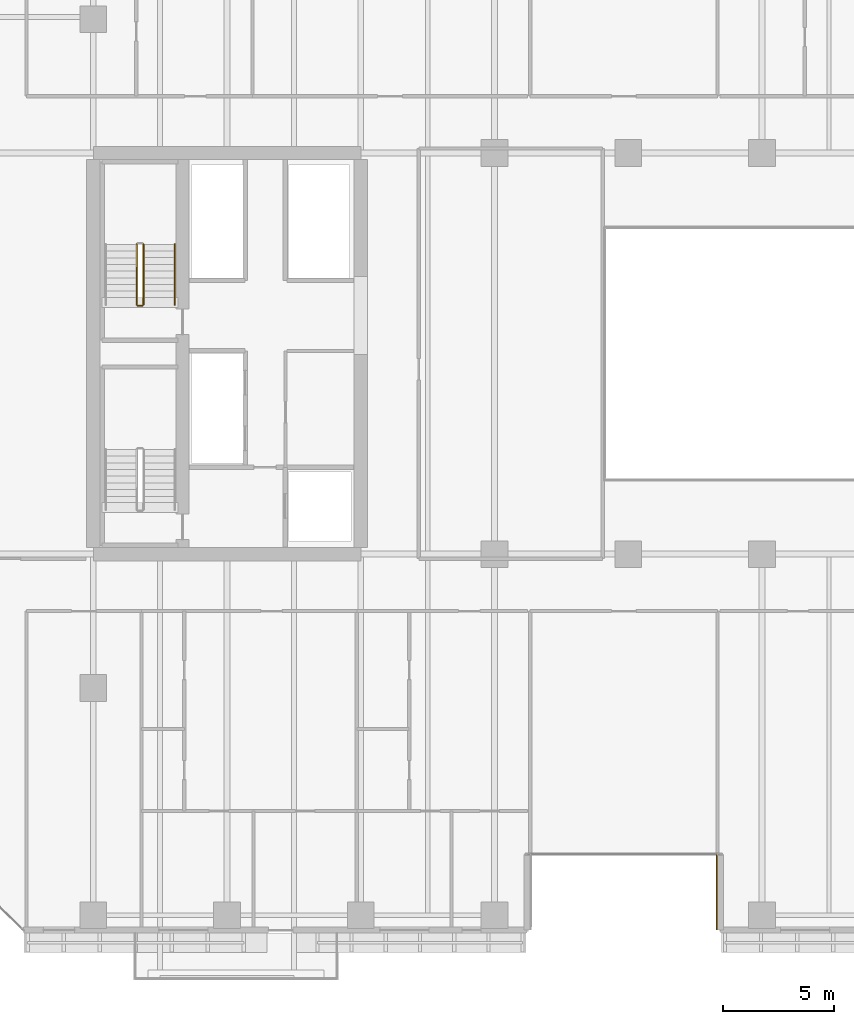
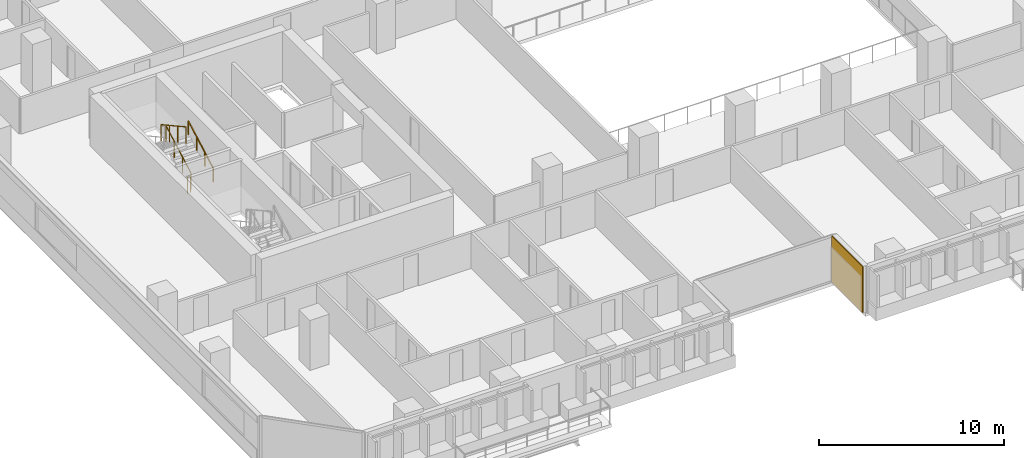
# One storey, part 27 of 33: 4 railings, 1 covering.
"""IFC4 building model written with IfcOpenShell, lengths in metres."""

from ifc_helpers import new_model, si_unit, direction, frame, origin, origin_2d, place, context, subcontext, project, spatial, rectangle, extrude, material, layer, layer_set, type_object, element, save


model = new_model("IFC4")

# Units and contexts
model_context = context("Model", 3, precision=1e-05, world=origin(), true_north=direction((0.0, 1.0)))
body_context = subcontext(model_context, "Body", "Model", "MODEL_VIEW")
ifc_project = project(units=[si_unit("LENGTHUNIT", "METRE"), si_unit("AREAUNIT", "SQUARE_METRE"), si_unit("VOLUMEUNIT", "CUBIC_METRE"), si_unit("PLANEANGLEUNIT", "RADIAN"), si_unit("MASSUNIT", "GRAM", prefix="KILO")], contexts=[model_context])

# Site, building, storey
site_placement = place(None, origin())
site = spatial("IfcSite", under=ifc_project, at=site_placement, CompositionType="ELEMENT")
building_placement = place(site_placement, origin())
building = spatial("IfcBuilding", under=site, at=building_placement, Name="Tanjung Sevakor Pilgrim Tower", CompositionType="ELEMENT")
storey_placement = place(building_placement, frame((0.0, 0.0, 52.139892578125)))
storey = spatial("IfcBuildingStorey", under=building, at=storey_placement, Name="L14", CompositionType="ELEMENT", Elevation=52.139892578125)

# Covering
ifc_material_1 = material(Name="Reconstructed Limestone Cladding", Category="masonry")
ifc_layer = layer(ifc_material_1, 0.044921875)
ifc_layer_set = layer_set([ifc_layer], Name="COV-CLAD-LIMESTONE")
covering_type = type_object("IfcCoveringType", Name="COV-CLAD-LIMESTONE", PredefinedType="CLADDING", material=ifc_layer_set)
covering_placement = place(storey_placement, frame((51.9775390625, 9.43994140625, 0.02001953125), z_axis=(0.0, 0.0, 1.0), x_axis=(0.0, -1.0, 0.0)))
element("IfcCovering", 1, at=covering_placement, inside=storey, type_object=covering_type, Name="L14 Warm Limestone Wall Cladding EW-L14-MAIN-4", PredefinedType="CLADDING", context=body_context, shape_type="SweptSolid", body=[
    extrude(rectangle(XDim=3.360107421875, YDim=0.044921875, at=origin_2d()), origin(), (0.0, 0.0, 1.0), 3.0400390625),
])

# Railings
ifc_material_2 = material(Name="Steel S355J2", Category="steel")
railing_type_1 = type_object("IfcRailingType", Name="RL-STAIR-GUARD", PredefinedType="GUARDRAIL", material=ifc_material_2)
railing_1_placement = place(storey_placement, frame((26.25, 35.800048828125, 0.1650390625)))
element("IfcRailing", 2, at=railing_1_placement, inside=storey, type_object=railing_type_1, Name="L14 TS-W2 stair guard 1", PredefinedType="GUARDRAIL", context=body_context, shape_type="SweptSolid", body=[
    extrude(rectangle(XDim=0.0479, YDim=0.0479), frame((0.0, 0.0, 1.076171875), z_axis=(0.0, 0.876197507361, 0.481952205197), x_axis=(-1.0, 0.0, 0.0)), (0.0, 0.0, 1.0), 3.08154296875),
    extrude(rectangle(XDim=0.042, YDim=0.042), origin(), (0.0, 0.0, 1.0), 1.052001953125),
    extrude(rectangle(XDim=0.042, YDim=0.042), frame((0.0, 0.89990234375, 0.4951171875)), (0.0, 0.0, 1.0), 1.052001953125),
    extrude(rectangle(XDim=0.042, YDim=0.042), frame((0.0, 1.800048828125, 0.989990234375)), (0.0, 0.0, 1.0), 1.052001953125),
    extrude(rectangle(XDim=0.042, YDim=0.042), frame((0.0, 2.699951171875, 1.485107421875)), (0.0, 0.0, 1.0), 1.052001953125),
])
railing_2_placement = place(storey_placement, frame((25.949951171875, 38.5, 1.815185546875)))
element("IfcRailing", 3, at=railing_2_placement, inside=storey, type_object=railing_type_1, Name="L14 TS-W2 stair guard 3", PredefinedType="GUARDRAIL", context=body_context, shape_type="SweptSolid", body=[
    extrude(rectangle(XDim=0.0479, YDim=0.0479), frame((0.0, 0.0, 1.076171875), z_axis=(0.0, -0.876230963923, 0.481891375584), x_axis=(1.0, 0.0, 0.0)), (0.0, 0.0, 1.0), 3.081298828125),
    extrude(rectangle(XDim=0.042, YDim=0.042), origin(), (0.0, 0.0, 1.0), 1.052001953125),
    extrude(rectangle(XDim=0.042, YDim=0.042), frame((0.0, -0.89990234375, 0.494873046875)), (0.0, 0.0, 1.0), 1.052001953125),
    extrude(rectangle(XDim=0.042, YDim=0.042), frame((0.0, -1.800048828125, 0.989990234375)), (0.0, 0.0, 1.0), 1.052001953125),
    extrude(rectangle(XDim=0.042, YDim=0.042), frame((0.0, -2.699951171875, 1.48486328125)), (0.0, 0.0, 1.0), 1.052001953125),
])
railing_3_placement = place(storey_placement, frame((26.199951171875, 35.75, 0.0)))
element("IfcRailing", 4, at=railing_3_placement, inside=storey, type_object=railing_type_1, Name="L14 TS-W2 stair guard 4", PredefinedType="GUARDRAIL", context=body_context, shape_type="SweptSolid", body=[
    extrude(rectangle(XDim=0.0479, YDim=0.0479), frame((0.0, 0.0, 1.076171875), z_axis=(-1.0, 0.0, 0.0), x_axis=(0.0, -1.0, 0.0)), (0.0, 0.0, 1.0), 0.199951171875),
    extrude(rectangle(XDim=0.042, YDim=0.042), origin(), (0.0, 0.0, 1.0), 1.052001953125),
    extrude(rectangle(XDim=0.042, YDim=0.042), frame((-0.199951171875, 0.0, 0.0)), (0.0, 0.0, 1.0), 1.052001953125),
])
ifc_material_3 = material(Name="Steel S355J2", Category="steel")
railing_type_2 = type_object("IfcRailingType", Name="RL-STAIR-HAND", PredefinedType="HANDRAIL", material=ifc_material_3)
railing_4_placement = place(storey_placement, frame((27.64990234375, 35.800048828125, 0.1650390625)))
element("IfcRailing", 5, at=railing_4_placement, inside=storey, type_object=railing_type_2, Name="L14 TS-W2 stair handrail 1", PredefinedType="HANDRAIL", context=body_context, shape_type="SweptSolid", body=[
    extrude(rectangle(XDim=0.0479, YDim=0.0479), frame((0.0, 0.0, 0.8759765625), z_axis=(0.0, 0.876197507361, 0.481952205197), x_axis=(-1.0, 0.0, 0.0)), (0.0, 0.0, 1.0), 3.08154296875),
    extrude(rectangle(XDim=0.042, YDim=0.042), origin(), (0.0, 0.0, 1.0), 0.851806640625),
    extrude(rectangle(XDim=0.042, YDim=0.042), frame((0.0, 0.89990234375, 0.4951171875)), (0.0, 0.0, 1.0), 0.851806640625),
    extrude(rectangle(XDim=0.042, YDim=0.042), frame((0.0, 1.800048828125, 0.989990234375)), (0.0, 0.0, 1.0), 0.851806640625),
    extrude(rectangle(XDim=0.042, YDim=0.042), frame((0.0, 2.699951171875, 1.485107421875)), (0.0, 0.0, 1.0), 0.851806640625),
])

save(model, "model.ifc")
